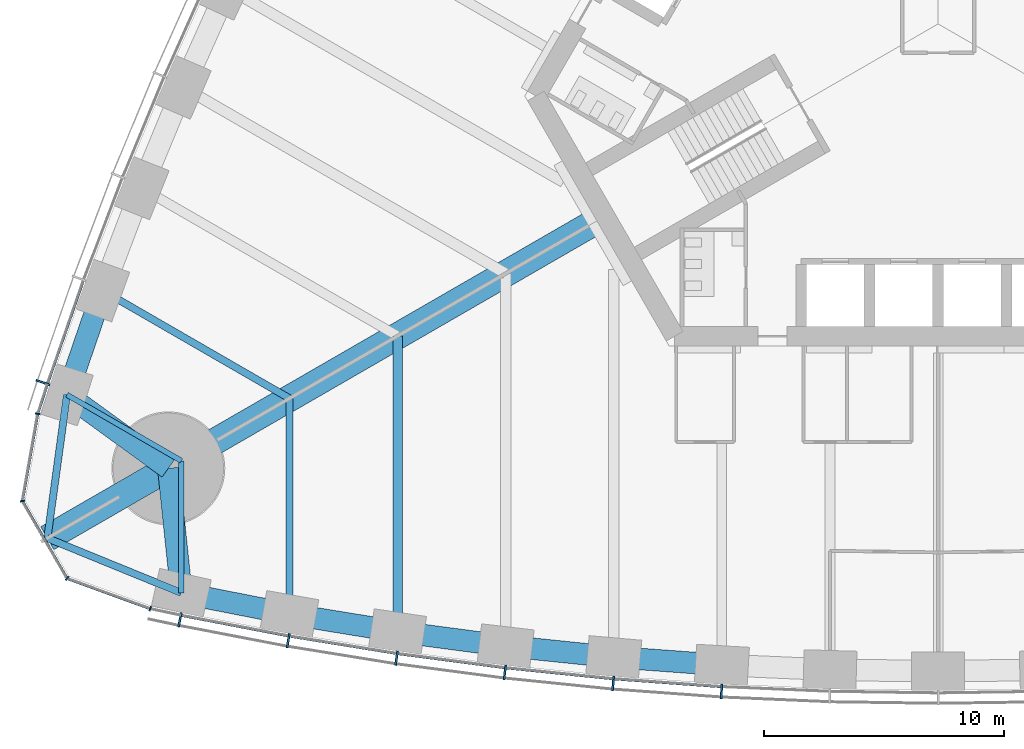
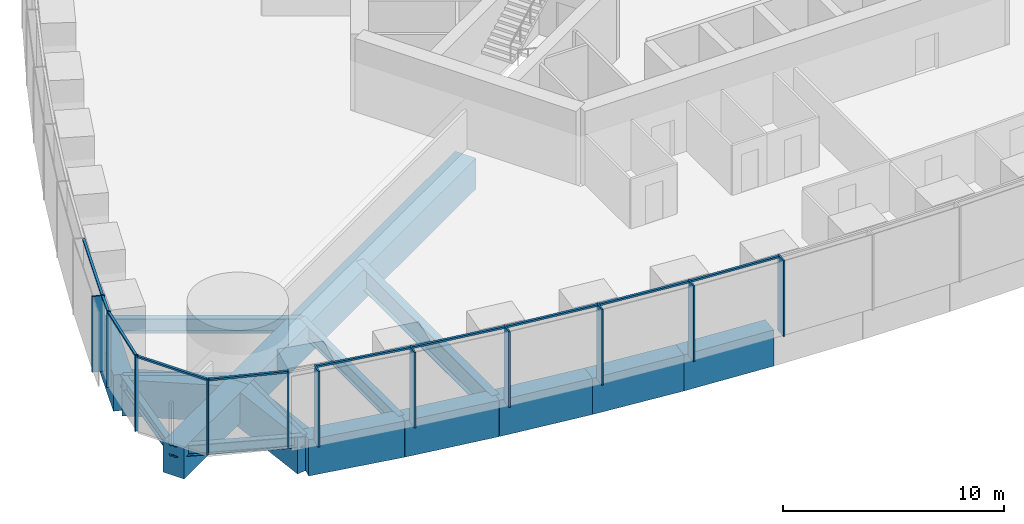
# One storey, part 2 of 18: 21 members, 17 beams, 3 elements without a shape of their own.
"""IFC4 building model written with IfcOpenShell, lengths in metres."""

from ifc_helpers import new_model, si_unit, direction, frame, origin, origin_2d, place, context, subcontext, project, spatial, rectangle, i_section, extrude, material, material_profile, profile_set, type_object, element, aggregate, save


model = new_model("IFC4")

# Units and contexts
model_context = context("Model", 3, precision=1e-05, world=origin(), true_north=direction((0.0, 1.0)))
body_context = subcontext(model_context, "Body", "Model", "MODEL_VIEW")
ifc_project = project(units=[si_unit("LENGTHUNIT", "METRE"), si_unit("AREAUNIT", "SQUARE_METRE"), si_unit("VOLUMEUNIT", "CUBIC_METRE"), si_unit("PLANEANGLEUNIT", "RADIAN"), si_unit("MASSUNIT", "GRAM", prefix="KILO")], contexts=[model_context])

# Site, building, storey
site_placement = place(None, origin())
site = spatial("IfcSite", under=ifc_project, at=site_placement, CompositionType="ELEMENT")
building_placement = place(site_placement, origin())
building = spatial("IfcBuilding", under=site, at=building_placement, Name="Trefoil Bronze Tower", CompositionType="ELEMENT")
storey_placement = place(building_placement, frame((0.0, 0.0, 66.89990234375)))
storey = spatial("IfcBuildingStorey", under=building, at=storey_placement, Name="L15", CompositionType="ELEMENT", Elevation=66.89990234375)

# Curtain wall, members
ifc_material_1 = material(Name="Tinted solar-control glass", Category="glass")
curtain_wall_type_1 = type_object("IfcCurtainWallType", Name="Bronze office curtain wall", PredefinedType="USERDEFINED", material=ifc_material_1)
curtain_wall_1_placement = place(storey_placement, origin())
curtain_wall_1 = element("IfcCurtainWall", 1, at=curtain_wall_1_placement, inside=storey, type_object=curtain_wall_type_1, Name="CW-A L15 F1", ObjectType="CURTAIN WALL", PredefinedType="USERDEFINED")
ifc_material_2 = material(Name="Bronze-finish aluminium", Category="aluminium")
ifc_material_profile_1 = material_profile(ifc_material_2, rectangle(XDim=0.60009765625, YDim=0.080078125, at=origin_2d()), Name="CW-A mullion")
ifc_profile_set_1 = profile_set([ifc_material_profile_1], Name="Bronze-finish aluminium")
member_type_1 = type_object("IfcMemberType", Name="Bronze office curtain wall mullion", PredefinedType="MULLION", material=ifc_profile_set_1)
member_1_placement = place(storey_placement, frame((-31.559326171875, -24.81005859375, 0.0), z_axis=(0.0, 0.0, 1.0), x_axis=(0.197910006829, 0.98022019424, 0.0)))
member_1 = element("IfcMember", 2, at=member_1_placement, type_object=member_type_1, Name="CW-A L15 F1 mullion 2", PredefinedType="MULLION", context=body_context, shape_type="SweptSolid", body=[
    extrude(rectangle(XDim=0.60009765625, YDim=0.080078125, at=origin_2d()), origin(), (0.0, 0.0, 1.0), 4.18017578125),
])
member_2_placement = place(storey_placement, frame((-27.05224609375, -25.67578125, 0.0), z_axis=(0.0, 0.0, 1.0), x_axis=(0.174131146426, 0.984722470468, 0.0)))
member_2 = element("IfcMember", 3, at=member_2_placement, type_object=member_type_1, Name="CW-A L15 F1 mullion 3", PredefinedType="MULLION", context=body_context, shape_type="SweptSolid", body=[
    extrude(rectangle(XDim=0.60009765625, YDim=0.080078125, at=origin_2d()), origin(), (0.0, 0.0, 1.0), 4.18017578125),
])
member_3_placement = place(storey_placement, frame((-22.54345703125, -26.40478515625, 0.0), z_axis=(0.0, 0.0, 1.0), x_axis=(0.145108990094, 0.989415676546, 0.0)))
member_3 = element("IfcMember", 4, at=member_3_placement, type_object=member_type_1, Name="CW-A L15 F1 mullion 4", PredefinedType="MULLION", context=body_context, shape_type="SweptSolid", body=[
    extrude(rectangle(XDim=0.60009765625, YDim=0.080078125, at=origin_2d()), origin(), (0.0, 0.0, 1.0), 4.18017578125),
])
member_4_placement = place(storey_placement, frame((-18.034912109375, -26.99853515625, 0.0), z_axis=(0.0, 0.0, 1.0), x_axis=(0.116086999973, 0.993239048989, 0.0)))
member_4 = element("IfcMember", 5, at=member_4_placement, type_object=member_type_1, Name="CW-A L15 F1 mullion 5", PredefinedType="MULLION", context=body_context, shape_type="SweptSolid", body=[
    extrude(rectangle(XDim=0.60009765625, YDim=0.080078125, at=origin_2d()), origin(), (0.0, 0.0, 1.0), 4.18017578125),
])
member_5_placement = place(storey_placement, frame((-13.526123046875, -27.458984375, 0.0), z_axis=(0.0, 0.0, 1.0), x_axis=(0.087065139456, 0.996202620701, 0.0)))
member_5 = element("IfcMember", 6, at=member_5_placement, type_object=member_type_1, Name="CW-A L15 F1 mullion 6", PredefinedType="MULLION", context=body_context, shape_type="SweptSolid", body=[
    extrude(rectangle(XDim=0.60009765625, YDim=0.080078125, at=origin_2d()), origin(), (0.0, 0.0, 1.0), 4.18017578125),
])
member_6_placement = place(storey_placement, frame((-9.017333984375, -27.786865234375, 0.0), z_axis=(0.0, 0.0, 1.0), x_axis=(0.058043374207, 0.998314062162, 0.0)))
member_6 = element("IfcMember", 7, at=member_6_placement, type_object=member_type_1, Name="CW-A L15 F1 mullion 7", PredefinedType="MULLION", context=body_context, shape_type="SweptSolid", body=[
    extrude(rectangle(XDim=0.60009765625, YDim=0.080078125, at=origin_2d()), origin(), (0.0, 0.0, 1.0), 4.18017578125),
])

# Curtain wall, member
curtain_wall_2_placement = place(storey_placement, origin())
curtain_wall_2 = element("IfcCurtainWall", 8, at=curtain_wall_2_placement, inside=storey, type_object=curtain_wall_type_1, Name="CW-A L15 F3", ObjectType="CURTAIN WALL", PredefinedType="USERDEFINED")
member_7_placement = place(storey_placement, frame((-37.265869140625, -14.92626953125, 0.0), z_axis=(0.0, 0.0, 1.0), x_axis=(0.947850592929, -0.318715003543, 0.0)))
member_7 = element("IfcMember", 9, at=member_7_placement, type_object=member_type_1, Name="CW-A L15 F3 mullion 16", PredefinedType="MULLION", context=body_context, shape_type="SweptSolid", body=[
    extrude(rectangle(XDim=0.60009765625, YDim=0.080078125, at=origin_2d()), origin(), (0.0, 0.0, 1.0), 4.18017578125),
])

# Member
ifc_material_3 = material(Name="Bronze-finish aluminium", Category="aluminium")
ifc_material_profile_2 = material_profile(ifc_material_3, rectangle(XDim=0.1201171875, YDim=0.10009765625, at=origin_2d()), Name="CW-A transom")
ifc_profile_set_2 = profile_set([ifc_material_profile_2], Name="Bronze-finish aluminium")
member_type_2 = type_object("IfcMemberType", Name="Bronze office curtain wall transom", PredefinedType="USERDEFINED", material=ifc_profile_set_2)
member_8_placement = place(storey_placement, frame((-31.4794921875, -24.621826171875, 4.130126953125), z_axis=(0.982053603997, -0.188602011855, 0.0), x_axis=(0.188602011855, 0.982053603997, 0.0)))
member_8 = element("IfcMember", 10, at=member_8_placement, type_object=member_type_2, Name="CW-A L15 F1 transom 2", ObjectType="TRANSOM", PredefinedType="USERDEFINED", context=body_context, shape_type="SweptSolid", body=[
    extrude(rectangle(XDim=0.1201171875, YDim=0.10009765625, at=origin_2d()), origin(), (0.0, 0.0, 1.0), 4.502197265625),
])

member_9_placement = place(storey_placement, frame((-26.9765625, -25.4853515625, 4.130126953125), z_axis=(0.987179401487, -0.159614627398, 0.0), x_axis=(0.159614627398, 0.987179401487, 0.0)))
member_9 = element("IfcMember", 11, at=member_9_placement, type_object=member_type_2, Name="CW-A L15 F1 transom 3", ObjectType="TRANSOM", PredefinedType="USERDEFINED", context=body_context, shape_type="SweptSolid", body=[
    extrude(rectangle(XDim=0.1201171875, YDim=0.10009765625, at=origin_2d()), origin(), (0.0, 0.0, 1.0), 4.478515625),
])

member_10_placement = place(storey_placement, frame((-22.473388671875, -26.212158203125, 4.130126953125), z_axis=(0.991436581643, -0.13058906761, 0.0), x_axis=(0.13058906761, 0.991436581643, 0.0)))
member_10 = element("IfcMember", 12, at=member_10_placement, type_object=member_type_2, Name="CW-A L15 F1 transom 4", ObjectType="TRANSOM", PredefinedType="USERDEFINED", context=body_context, shape_type="SweptSolid", body=[
    extrude(rectangle(XDim=0.1201171875, YDim=0.10009765625, at=origin_2d()), origin(), (0.0, 0.0, 1.0), 4.458740234375),
])

member_11_placement = place(storey_placement, frame((-17.970458984375, -26.80419921875, 4.130126953125), z_axis=(0.994831650915, -0.101538102888, 0.0), x_axis=(0.101538102888, 0.994831650915, 0.0)))
member_11 = element("IfcMember", 13, at=member_11_placement, type_object=member_type_2, Name="CW-A L15 F1 transom 5", ObjectType="TRANSOM", PredefinedType="USERDEFINED", context=body_context, shape_type="SweptSolid", body=[
    extrude(rectangle(XDim=0.1201171875, YDim=0.10009765625, at=origin_2d()), origin(), (0.0, 0.0, 1.0), 4.443359375),
])

member_12_placement = place(storey_placement, frame((-13.46728515625, -27.2626953125, 4.130126953125), z_axis=(0.997364729945, -0.07255064067, 0.0), x_axis=(0.07255064067, 0.997364729945, 0.0)))
member_12 = element("IfcMember", 14, at=member_12_placement, type_object=member_type_2, Name="CW-A L15 F1 transom 6", ObjectType="TRANSOM", PredefinedType="USERDEFINED", context=body_context, shape_type="SweptSolid", body=[
    extrude(rectangle(XDim=0.1201171875, YDim=0.10009765625, at=origin_2d()), origin(), (0.0, 0.0, 1.0), 4.431884765625),
])

aggregate(curtain_wall_1, [member_1, member_2, member_3, member_4, member_5, member_6, member_8, member_9, member_10, member_11, member_12])

member_13_placement = place(storey_placement, frame((-35.587646484375, -10.697509765625, 4.130126953125), z_axis=(-0.327689728493, -0.944785394595, 0.0), x_axis=(0.944785394595, -0.327689728493, 0.0)))
member_13 = element("IfcMember", 15, at=member_13_placement, type_object=member_type_2, Name="CW-A L15 F3 transom 15", ObjectType="TRANSOM", PredefinedType="USERDEFINED", context=body_context, shape_type="SweptSolid", body=[
    extrude(rectangle(XDim=0.1201171875, YDim=0.10009765625, at=origin_2d()), origin(), (0.0, 0.0, 1.0), 4.502197265625),
])

member_14_placement = place(storey_placement, frame((-37.089111328125, -15.02880859375, 4.130126953125), z_axis=(-0.309624219148, -0.950859002648, 0.0), x_axis=(0.950859002648, -0.309624219148, 0.0)))
member_14 = element("IfcMember", 16, at=member_14_placement, type_object=member_type_2, Name="CW-A L15 F3 transom 16", ObjectType="TRANSOM", PredefinedType="USERDEFINED", context=body_context, shape_type="SweptSolid", body=[
    extrude(rectangle(XDim=0.1201171875, YDim=0.10009765625, at=origin_2d()), origin(), (0.0, 0.0, 1.0), 1.21044921875),
])

aggregate(curtain_wall_2, [member_7, member_13, member_14])

# Curtain wall, members
ifc_material_4 = material(Name="Tinted solar-control glass", Category="glass")
curtain_wall_type_2 = type_object("IfcCurtainWallType", Name="Bronze rounded corner curtain wall", PredefinedType="USERDEFINED", material=ifc_material_4)
curtain_wall_3_placement = place(storey_placement, origin())
curtain_wall_3 = element("IfcCurtainWall", 17, at=curtain_wall_3_placement, inside=storey, type_object=curtain_wall_type_2, Name="CW-B L15 K3", ObjectType="CURTAIN WALL", PredefinedType="USERDEFINED")
ifc_material_5 = material(Name="Bronze-finish aluminium", Category="aluminium")
ifc_material_profile_3 = material_profile(ifc_material_5, rectangle(XDim=0.199951171875, YDim=0.06005859375, at=origin_2d()), Name="CW-B mullion")
ifc_profile_set_3 = profile_set([ifc_material_profile_3], Name="Bronze-finish aluminium")
member_type_3 = type_object("IfcMemberType", Name="Bronze rounded corner curtain wall mullion", PredefinedType="MULLION", material=ifc_profile_set_3)
member_15_placement = place(storey_placement, frame((-37.479736328125, -16.2314453125, 0.0), z_axis=(0.0, 0.0, 1.0), x_axis=(0.984807753012, -0.173648177667, 0.0)))
member_15 = element("IfcMember", 18, at=member_15_placement, type_object=member_type_3, Name="CW-B L15 K3 mullion 1", PredefinedType="MULLION", context=body_context, shape_type="SweptSolid", body=[
    extrude(rectangle(XDim=0.199951171875, YDim=0.06005859375, at=origin_2d()), origin(), (0.0, 0.0, 1.0), 4.18017578125),
])
member_16_placement = place(storey_placement, frame((-38.11328125, -19.85888671875, 0.0), z_axis=(0.0, 0.0, 1.0), x_axis=(0.984807753012, 0.173648177667, 0.0)))
member_16 = element("IfcMember", 19, at=member_16_placement, type_object=member_type_3, Name="CW-B L15 K3 mullion 2", PredefinedType="MULLION", context=body_context, shape_type="SweptSolid", body=[
    extrude(rectangle(XDim=0.199951171875, YDim=0.06005859375, at=origin_2d()), origin(), (0.0, 0.0, 1.0), 4.18017578125),
])
member_17_placement = place(storey_placement, frame((-36.2548828125, -23.07763671875, 0.0), z_axis=(0.0, 0.0, 1.0), x_axis=(0.642787609687, 0.766044443119, 0.0)))
member_17 = element("IfcMember", 20, at=member_17_placement, type_object=member_type_3, Name="CW-B L15 K3 mullion 3", PredefinedType="MULLION", context=body_context, shape_type="SweptSolid", body=[
    extrude(rectangle(XDim=0.199951171875, YDim=0.06005859375, at=origin_2d()), origin(), (0.0, 0.0, 1.0), 4.18017578125),
])
member_18_placement = place(storey_placement, frame((-32.796630859375, -24.3427734375, 0.0), z_axis=(0.0, 0.0, 1.0), x_axis=(0.342020143326, 0.939692620786, 0.0)))
member_18 = element("IfcMember", 21, at=member_18_placement, type_object=member_type_3, Name="CW-B L15 K3 mullion 4", PredefinedType="MULLION", context=body_context, shape_type="SweptSolid", body=[
    extrude(rectangle(XDim=0.199951171875, YDim=0.06005859375, at=origin_2d()), origin(), (0.0, 0.0, 1.0), 4.18017578125),
])
ifc_material_6 = material(Name="Bronze-finish aluminium", Category="aluminium")
ifc_material_profile_4 = material_profile(ifc_material_6, rectangle(XDim=0.1201171875, YDim=0.10009765625, at=origin_2d()), Name="CW-B transom")
ifc_profile_set_4 = profile_set([ifc_material_profile_4], Name="Bronze-finish aluminium")
member_type_4 = type_object("IfcMemberType", Name="Bronze rounded corner curtain wall transom", PredefinedType="USERDEFINED", material=ifc_profile_set_4)
member_19_placement = place(storey_placement, frame((-37.48486328125, -16.260986328125, 4.130126953125), z_axis=(-0.17363783606, -0.984809576461, 0.0), x_axis=(0.984809576461, -0.17363783606, 0.0)))
member_19 = element("IfcMember", 22, at=member_19_placement, type_object=member_type_4, Name="CW-B L15 K3 transom 1", ObjectType="TRANSOM", PredefinedType="USERDEFINED", context=body_context, shape_type="SweptSolid", body=[
    extrude(rectangle(XDim=0.1201171875, YDim=0.10009765625, at=origin_2d()), origin(), (0.0, 0.0, 1.0), 3.588134765625),
])
member_20_placement = place(storey_placement, frame((-38.08642578125, -19.91748046875, 4.130126953125), z_axis=(0.500024788772, -0.866011091507, 0.0), x_axis=(0.866011091507, 0.500024788772, 0.0)))
member_20 = element("IfcMember", 23, at=member_20_placement, type_object=member_type_4, Name="CW-B L15 K3 transom 2", ObjectType="TRANSOM", PredefinedType="USERDEFINED", context=body_context, shape_type="SweptSolid", body=[
    extrude(rectangle(XDim=0.1201171875, YDim=0.10009765625, at=origin_2d()), origin(), (0.0, 0.0, 1.0), 3.588134765625),
])
member_21_placement = place(storey_placement, frame((-36.196533203125, -23.105224609375, 4.130126953125), z_axis=(0.939688092095, -0.342032585545, 0.0), x_axis=(0.342032585545, 0.939688092095, 0.0)))
member_21 = element("IfcMember", 24, at=member_21_placement, type_object=member_type_4, Name="CW-B L15 K3 transom 3", ObjectType="TRANSOM", PredefinedType="USERDEFINED", context=body_context, shape_type="SweptSolid", body=[
    extrude(rectangle(XDim=0.1201171875, YDim=0.10009765625, at=origin_2d()), origin(), (0.0, 0.0, 1.0), 3.588134765625),
])
aggregate(curtain_wall_3, [member_15, member_16, member_17, member_18, member_19, member_20, member_21])

# Beams
ifc_material_7 = material(Name="Concrete B80", Category="concrete")
ifc_material_profile_5 = material_profile(ifc_material_7, rectangle(XDim=1.10009765625, YDim=1.699951171875, at=origin_2d()), Name="RC 1100x1700")
ifc_profile_set_5 = profile_set([ifc_material_profile_5], Name="Concrete B80")
beam_type_1 = type_object("IfcBeamType", Name="Corner cantilever RC 1100x1700", PredefinedType="BEAM", material=ifc_profile_set_5)
beam_1_placement = place(storey_placement, frame((-32.04296875, -18.5, -1.0498046875), z_axis=(-0.866030348588, -0.499991435252, 0.0), x_axis=(0.499991435252, -0.866030348588, 0.0)))
element("IfcBeam", 25, at=beam_1_placement, inside=storey, type_object=beam_type_1, Name="Corner cantilever K3 L15", PredefinedType="BEAM", context=body_context, shape_type="SweptSolid", body=[
    extrude(rectangle(XDim=1.10009765625, YDim=1.699951171875, at=origin_2d()), origin(), (0.0, 0.0, 1.0), 5.81396484375),
])
ifc_material_8 = material(Name="Steel C355", Category="steel")
ifc_material_profile_6 = material_profile(ifc_material_8, i_section(OverallWidth=0.300048828125, OverallDepth=0.60009765625, WebThickness=0.015380859375, FlangeThickness=0.030029296875, FilletRadius=0.027099609375, at=origin_2d()), Name="HEB 600")
ifc_profile_set_6 = profile_set([ifc_material_profile_6], Name="Steel C355")
beam_type_2 = type_object("IfcBeamType", Name="Corner edge beam HEB 600", PredefinedType="BEAM", material=ifc_profile_set_6)
beam_2_placement = place(storey_placement, frame((-31.5, -23.684814453125, -0.5), z_axis=(-0.925786874353, 0.378045848114, 0.0), x_axis=(-0.378045848114, -0.925786874353, 0.0)))
element("IfcBeam", 26, at=beam_2_placement, inside=storey, type_object=beam_type_2, Name="Corner edge beam F1B L15", PredefinedType="BEAM", context=body_context, shape_type="SweptSolid", body=[
    extrude(i_section(OverallWidth=0.300048828125, OverallDepth=0.60009765625, WebThickness=0.015380859375, FlangeThickness=0.030029296875, FilletRadius=0.027099609375, at=origin_2d()), origin(), (0.0, 0.0, 1.0), 6.025390625),
])
beam_3_placement = place(storey_placement, frame((-36.26171875, -15.4375, -0.5), z_axis=(-0.13550196505, -0.990777077585, 0.0), x_axis=(0.990777077585, -0.13550196505, 0.0)))
element("IfcBeam", 27, at=beam_3_placement, inside=storey, type_object=beam_type_2, Name="Corner edge beam F3A L15", PredefinedType="BEAM", context=body_context, shape_type="SweptSolid", body=[
    extrude(i_section(OverallWidth=0.300048828125, OverallDepth=0.60009765625, WebThickness=0.015380859375, FlangeThickness=0.030029296875, FilletRadius=0.027099609375, at=origin_2d()), origin(), (0.0, 0.0, 1.0), 6.025146484375),
])
ifc_material_9 = material(Name="Concrete B80", Category="concrete")
ifc_material_profile_7 = material_profile(ifc_material_9, rectangle(XDim=1.10009765625, YDim=1.699951171875, at=origin_2d()), Name="RC 1100x1700")
ifc_profile_set_7 = profile_set([ifc_material_profile_7], Name="Concrete B80")
beam_type_3 = type_object("IfcBeamType", Name="Corner girder RC 1100x1700", PredefinedType="BEAM", material=ifc_profile_set_7)
beam_4_placement = place(storey_placement, frame((-14.202880859375, -8.199951171875, -1.0498046875), z_axis=(-0.866023947468, -0.500002522405, 0.0), x_axis=(0.500002522405, -0.866023947468, 0.0)))
element("IfcBeam", 28, at=beam_4_placement, inside=storey, type_object=beam_type_3, Name="Corner girder K3 L15", PredefinedType="BEAM", context=body_context, shape_type="SweptSolid", body=[
    extrude(rectangle(XDim=1.10009765625, YDim=1.699951171875, at=origin_2d()), origin(), (0.0, 0.0, 1.0), 20.60009765625),
])
ifc_material_10 = material(Name="Concrete B80", Category="concrete")
ifc_material_profile_8 = material_profile(ifc_material_10, rectangle(XDim=0.89990234375, YDim=2.0, at=origin_2d()), Name="RC 900x2000")
ifc_profile_set_8 = profile_set([ifc_material_profile_8], Name="Concrete B80")
beam_type_4 = type_object("IfcBeamType", Name="End spandrel beam RC 900x2000", PredefinedType="SPANDREL", material=ifc_profile_set_8)
for number, where, z_axis, x_axis, name in (
    (29, (-32.04296875, -18.5, -1.199951171875), (0.104153327908, -0.994561252154, 0.0), (0.994561252154, 0.104153327908, 0.0), "Spandrel F1.1 L15"),
    (30, (-36.26171875, -15.4375, -1.199951171875), (0.809254211267, -0.587458612624, 0.0), (0.587458612624, 0.809254211267, 0.0), "Spandrel F3.16 L15"),
):
    element("IfcBeam", number, at=place(storey_placement, frame(where, z_axis=z_axis, x_axis=x_axis)), inside=storey, type_object=beam_type_4, Name=name, PredefinedType="SPANDREL", context=body_context, shape_type="SweptSolid", body=[
        extrude(rectangle(XDim=0.89990234375, YDim=2.0, at=origin_2d()), origin(), (0.0, 0.0, 1.0), 5.213134765625),
    ])
ifc_material_11 = material(Name="Steel C355", Category="steel")
ifc_material_profile_9 = material_profile(ifc_material_11, i_section(OverallWidth=0.300048828125, OverallDepth=0.800048828125, WebThickness=0.017578125, FlangeThickness=0.032958984375, FilletRadius=0.030029296875, at=origin_2d()), Name="HEB 800")
ifc_profile_set_9 = profile_set([ifc_material_profile_9], Name="Steel C355")
beam_type_5 = type_object("IfcBeamType", Name="Floor beam HEB 800", PredefinedType="BEAM", material=ifc_profile_set_9)
for number, where, z_axis, x_axis, name in (
    (31, (-27.0, -24.56787109375, -0.599853515625), (0.0, 1.0, 0.0), (-1.0, 0.0, 0.0), "Floor beam F1/-6 L15"),
    (32, (-34.7763671875, -11.0986328125, -0.599853515625), (0.866022587327, -0.500004878216, 0.0), (0.500004878216, 0.866022587327, 0.0), "Floor beam F3/+6 L15"),
):
    element("IfcBeam", number, at=place(storey_placement, frame(where, z_axis=z_axis, x_axis=x_axis)), inside=storey, type_object=beam_type_5, Name=name, PredefinedType="BEAM", context=body_context, shape_type="SweptSolid", body=[
        extrude(i_section(OverallWidth=0.300048828125, OverallDepth=0.800048828125, WebThickness=0.017578125, FlangeThickness=0.032958984375, FilletRadius=0.030029296875, at=origin_2d()), origin(), (0.0, 0.0, 1.0), 8.9794921875),
    ])
ifc_material_12 = material(Name="Steel C355", Category="steel")
ifc_material_profile_10 = material_profile(ifc_material_12, i_section(OverallWidth=0.219970703125, OverallDepth=0.60009765625, WebThickness=0.011962890625, FlangeThickness=0.01904296875, FilletRadius=0.02392578125, at=origin_2d()), Name="IPE 600")
ifc_profile_set_10 = profile_set([ifc_material_profile_10], Name="Steel C355")
beam_type_6 = type_object("IfcBeamType", Name="Floor beam IPE 600", PredefinedType="BEAM", material=ifc_profile_set_10)
for number, where, z_axis, x_axis, name in (
    (33, (-31.5, -23.684814453125, -0.5), (0.0, 1.0, 0.0), (-1.0, 0.0, 0.0), "Floor beam F1/-7 L15"),
    (34, (-36.26171875, -15.4375, -0.5), (0.866037702141, -0.499978698016, 0.0), (0.499978698016, 0.866037702141, 0.0), "Floor beam F3/+7 L15"),
):
    element("IfcBeam", number, at=place(storey_placement, frame(where, z_axis=z_axis, x_axis=x_axis)), inside=storey, type_object=beam_type_6, Name=name, PredefinedType="BEAM", context=body_context, shape_type="SweptSolid", body=[
        extrude(i_section(OverallWidth=0.219970703125, OverallDepth=0.60009765625, WebThickness=0.011962890625, FlangeThickness=0.01904296875, FilletRadius=0.02392578125, at=origin_2d()), origin(), (0.0, 0.0, 1.0), 5.498291015625),
    ])
ifc_material_13 = material(Name="Steel C355", Category="steel")
ifc_material_profile_11 = material_profile(ifc_material_13, i_section(OverallWidth=0.39990234375, OverallDepth=1.199951171875, WebThickness=0.02001953125, FlangeThickness=0.0400390625, FilletRadius=0.010009765625, at=origin_2d()), Name="WPG 1200")
ifc_profile_set_11 = profile_set([ifc_material_profile_11], Name="Steel C355")
beam_type_7 = type_object("IfcBeamType", Name="Floor beam WPG 1200", PredefinedType="BEAM", material=ifc_profile_set_11)
beam_5_placement = place(storey_placement, frame((-22.5, -25.29931640625, -0.7998046875), z_axis=(0.0, 1.0, 0.0), x_axis=(-1.0, 0.0, 0.0)))
element("IfcBeam", 35, at=beam_5_placement, inside=storey, type_object=beam_type_7, Name="Floor beam F1/-5 L15", PredefinedType="BEAM", context=body_context, shape_type="SweptSolid", body=[
    extrude(i_section(OverallWidth=0.39990234375, OverallDepth=1.199951171875, WebThickness=0.02001953125, FlangeThickness=0.0400390625, FilletRadius=0.010009765625, at=origin_2d()), origin(), (0.0, 0.0, 1.0), 12.308837890625),
])
ifc_material_14 = material(Name="Concrete B80", Category="concrete")
ifc_material_profile_12 = material_profile(ifc_material_14, rectangle(XDim=0.89990234375, YDim=2.0, at=origin_2d()), Name="RC 900x2000")
ifc_profile_set_12 = profile_set([ifc_material_profile_12], Name="Concrete B80")
beam_type_8 = type_object("IfcBeamType", Name="Spandrel beam RC 900x2000", PredefinedType="SPANDREL", material=ifc_profile_set_12)
beam_6_placement = place(storey_placement, frame((-31.5, -23.684814453125, -1.199951171875), z_axis=(0.981284764092, -0.192562228283, 0.0), x_axis=(0.192562228283, 0.981284764092, 0.0)))
element("IfcBeam", 36, at=beam_6_placement, inside=storey, type_object=beam_type_8, Name="Spandrel F1.2 L15", PredefinedType="SPANDREL", context=body_context, shape_type="SweptSolid", body=[
    extrude(rectangle(XDim=0.89990234375, YDim=2.0, at=origin_2d()), origin(), (0.0, 0.0, 1.0), 4.5859375),
])
beam_7_placement = place(storey_placement, frame((-27.0, -24.56787109375, -1.199951171875), z_axis=(0.987045951254, -0.160437807615, 0.0), x_axis=(0.160437807615, 0.987045951254, 0.0)))
element("IfcBeam", 37, at=beam_7_placement, inside=storey, type_object=beam_type_8, Name="Spandrel F1.3 L15", PredefinedType="SPANDREL", context=body_context, shape_type="SweptSolid", body=[
    extrude(rectangle(XDim=0.89990234375, YDim=2.0, at=origin_2d()), origin(), (0.0, 0.0, 1.0), 4.55908203125),
])
beam_8_placement = place(storey_placement, frame((-22.5, -25.29931640625, -1.199951171875), z_axis=(0.991344474846, -0.131286450906, 0.0), x_axis=(0.131286450906, 0.991344474846, 0.0)))
element("IfcBeam", 38, at=beam_8_placement, inside=storey, type_object=beam_type_8, Name="Spandrel F1.4 L15", PredefinedType="SPANDREL", context=body_context, shape_type="SweptSolid", body=[
    extrude(rectangle(XDim=0.89990234375, YDim=2.0, at=origin_2d()), origin(), (0.0, 0.0, 1.0), 4.539306640625),
])
beam_9_placement = place(storey_placement, frame((-18.0, -25.895263671875, -1.199951171875), z_axis=(0.994778488621, -0.102057623805, 0.0), x_axis=(0.102057623805, 0.994778488621, 0.0)))
element("IfcBeam", 39, at=beam_9_placement, inside=storey, type_object=beam_type_8, Name="Spandrel F1.5 L15", PredefinedType="SPANDREL", context=body_context, shape_type="SweptSolid", body=[
    extrude(rectangle(XDim=0.89990234375, YDim=2.0, at=origin_2d()), origin(), (0.0, 0.0, 1.0), 4.523681640625),
])
beam_10_placement = place(storey_placement, frame((-13.5, -26.35693359375, -1.199951171875), z_axis=(0.997336412354, -0.072938882588, 0.0), x_axis=(0.072938882588, 0.997336412354, 0.0)))
element("IfcBeam", 40, at=beam_10_placement, inside=storey, type_object=beam_type_8, Name="Spandrel F1.6 L15", PredefinedType="SPANDREL", context=body_context, shape_type="SweptSolid", body=[
    extrude(rectangle(XDim=0.89990234375, YDim=2.0, at=origin_2d()), origin(), (0.0, 0.0, 1.0), 4.511962890625),
])
beam_11_placement = place(storey_placement, frame((-34.7763671875, -11.0986328125, -1.199951171875), z_axis=(-0.323883319148, -0.946097032855, 0.0), x_axis=(0.946097032855, -0.323883319148, 0.0)))
element("IfcBeam", 41, at=beam_11_placement, inside=storey, type_object=beam_type_8, Name="Spandrel F3.15 L15", PredefinedType="SPANDREL", context=body_context, shape_type="SweptSolid", body=[
    extrude(rectangle(XDim=0.89990234375, YDim=2.0, at=origin_2d()), origin(), (0.0, 0.0, 1.0), 4.586181640625),
])

save(model, "model.ifc")
